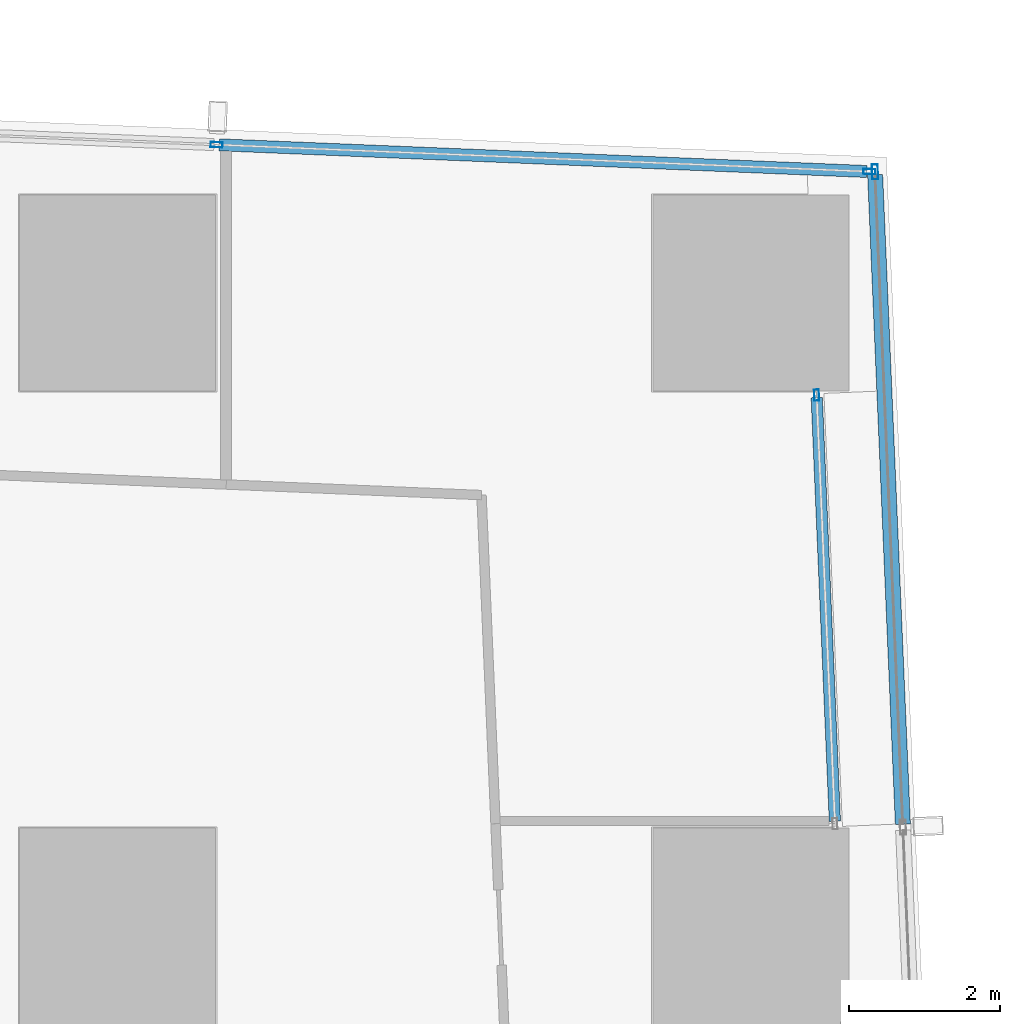
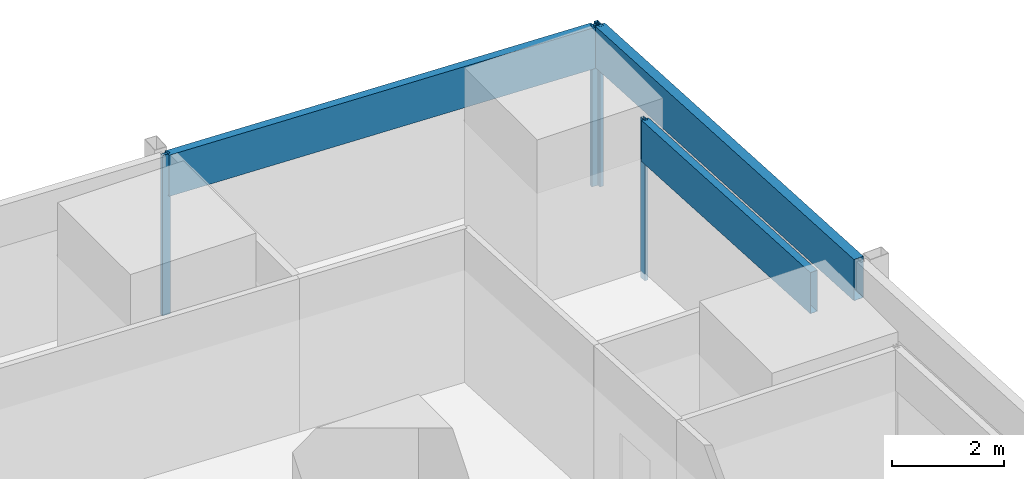
# One storey, part 23 of 46: 7 members, 3 elements without a shape of their own.
"""IFC4 building model written with IfcOpenShell, lengths in metres."""

from ifc_helpers import new_model, si_unit, direction, frame, origin, origin_2d, place, context, subcontext, project, spatial, hollow_rectangle, extrude, material, material_profile, profile_set, type_object, element, aggregate, save


model = new_model("IFC4")

# Units and contexts
model_context = context("Model", 3, precision=1e-05, world=origin(), true_north=direction((0.0, 1.0)))
body_context = subcontext(model_context, "Body", "Model", "MODEL_VIEW")
ifc_project = project(units=[si_unit("LENGTHUNIT", "METRE"), si_unit("AREAUNIT", "SQUARE_METRE"), si_unit("VOLUMEUNIT", "CUBIC_METRE"), si_unit("PLANEANGLEUNIT", "RADIAN"), si_unit("MASSUNIT", "GRAM", prefix="KILO")], contexts=[model_context])

# Site, building, storey
site_placement = place(None, origin())
site = spatial("IfcSite", under=ifc_project, at=site_placement, CompositionType="ELEMENT")
building_placement = place(site_placement, origin())
building = spatial("IfcBuilding", under=site, at=building_placement, Name="Rekha Terrace Tower", CompositionType="ELEMENT")
storey_placement = place(building_placement, frame((0.0, 0.0, 29.14990234375)))
storey = spatial("IfcBuildingStorey", under=building, at=storey_placement, Name="L06", CompositionType="ELEMENT", Elevation=29.14990234375)

# Curtain wall, members
ifc_material_1 = material(Name="Aluminium framing", Category="aluminium")
curtain_wall_type_1 = type_object("IfcCurtainWallType", Name="CW1 double skin inner glazing", PredefinedType="USERDEFINED", material=ifc_material_1)
curtain_wall_1_placement = place(storey_placement, origin())
curtain_wall_1 = element("IfcCurtainWall", 1, at=curtain_wall_1_placement, inside=storey, type_object=curtain_wall_type_1, Name="CW1 double skin inner glazing", ObjectType="DOUBLE SKIN INNER GLAZING", PredefinedType="USERDEFINED")
ifc_material_2 = material(Name="Aluminium mullion section", Category="aluminium")
ifc_material_profile_1 = material_profile(ifc_material_2, hollow_rectangle(XDim=0.06494140625, YDim=0.14990234375, WallThickness=0.00390625, at=origin_2d()), Name="AL RHS 65x150")
ifc_profile_set_1 = profile_set([ifc_material_profile_1], Name="Aluminium mullion section")
member_type_1 = type_object("IfcMemberType", Name="CW1 mullion RHS 65 x 150", PredefinedType="MULLION", material=ifc_profile_set_1)
member_1_placement = place(storey_placement, frame((68.073974609375, 57.443603515625, 0.0), z_axis=(0.0, 0.0, 1.0), x_axis=(-0.999088106906, -0.042696072869, 0.0)))
member_1 = element("IfcMember", 2, at=member_1_placement, type_object=member_type_1, Name="CW1 mullion 2", PredefinedType="MULLION", context=body_context, shape_type="SweptSolid", body=[
    extrude(hollow_rectangle(XDim=0.06494140625, YDim=0.14990234375, WallThickness=0.00390625, at=origin_2d()), origin(), (0.0, 0.0, 1.0), 3.5),
])
ifc_material_3 = material(Name="Insulated aluminium spandrel box", Category="aluminium")
ifc_material_profile_2 = material_profile(ifc_material_3, hollow_rectangle(XDim=0.14990234375, YDim=0.89990234375, WallThickness=0.0029296875, at=origin_2d()), Name="AL SPANDREL BOX 150x900")
ifc_profile_set_2 = profile_set([ifc_material_profile_2], Name="Insulated aluminium spandrel box")
member_type_2 = type_object("IfcMemberType", Name="CW1 spandrel transom 150 x 900", PredefinedType="USERDEFINED", material=ifc_profile_set_2)
member_2_placement = place(storey_placement, frame((68.315673828125, 51.7890625, 3.050048828125), z_axis=(-0.04273493784, 0.999086445253, 0.0), x_axis=(-0.999086445253, -0.04273493784, 0.0)))
member_2 = element("IfcMember", 3, at=member_2_placement, type_object=member_type_2, Name="CW1 spandrel transom 1", ObjectType="TRANSOM", PredefinedType="USERDEFINED", context=body_context, shape_type="SweptSolid", body=[
    extrude(hollow_rectangle(XDim=0.14990234375, YDim=0.89990234375, WallThickness=0.0029296875, at=origin_2d()), origin(), (0.0, 0.0, 1.0), 5.627197265625),
])
aggregate(curtain_wall_1, [member_1, member_2])

curtain_wall_type_2 = type_object("IfcCurtainWallType", Name="CW2 double skin outer glazing", PredefinedType="USERDEFINED", material=ifc_material_1)
curtain_wall_2_placement = place(storey_placement, origin())
curtain_wall_2 = element("IfcCurtainWall", 4, at=curtain_wall_2_placement, inside=storey, type_object=curtain_wall_type_2, Name="CW2 double skin outer glazing", ObjectType="DOUBLE SKIN OUTER GLAZING", PredefinedType="USERDEFINED")
ifc_material_profile_3 = material_profile(ifc_material_2, hollow_rectangle(XDim=0.080078125, YDim=0.199951171875, WallThickness=0.00390625, at=origin_2d()), Name="AL RHS 80x200")
ifc_profile_set_3 = profile_set([ifc_material_profile_3], Name="Aluminium mullion section")
member_type_3 = type_object("IfcMemberType", Name="CW2 mullion RHS 80 x 200", PredefinedType="MULLION", material=ifc_profile_set_3)
member_3_placement = place(storey_placement, frame((68.84814453125, 60.40625, 0.0), z_axis=(0.0, 0.0, 1.0), x_axis=(-0.999088106903, -0.042696072956, 0.0)))
member_3 = element("IfcMember", 5, at=member_3_placement, type_object=member_type_3, Name="CW2 mullion 5", PredefinedType="MULLION", context=body_context, shape_type="SweptSolid", body=[
    extrude(hollow_rectangle(XDim=0.080078125, YDim=0.199951171875, WallThickness=0.00390625, at=origin_2d()), origin(), (0.0, 0.0, 1.0), 3.5),
])
ifc_material_profile_4 = material_profile(ifc_material_3, hollow_rectangle(XDim=0.199951171875, YDim=0.89990234375, WallThickness=0.0029296875, at=origin_2d()), Name="AL SPANDREL BOX 200x900")
ifc_profile_set_4 = profile_set([ifc_material_profile_4], Name="Insulated aluminium spandrel box")
member_type_4 = type_object("IfcMemberType", Name="CW2 spandrel transom 200 x 900", PredefinedType="USERDEFINED", material=ifc_profile_set_4)
member_4_placement = place(storey_placement, frame((69.218017578125, 51.750244140625, 3.050048828125), z_axis=(-0.042691483974, 0.999088303002, 0.0), x_axis=(-0.999088303002, -0.042691483974, 0.0)))
member_4 = element("IfcMember", 6, at=member_4_placement, type_object=member_type_4, Name="CW2 spandrel transom 4", ObjectType="TRANSOM", PredefinedType="USERDEFINED", context=body_context, shape_type="SweptSolid", body=[
    extrude(hollow_rectangle(XDim=0.199951171875, YDim=0.89990234375, WallThickness=0.0029296875, at=origin_2d()), origin(), (0.0, 0.0, 1.0), 8.623779296875),
])
aggregate(curtain_wall_2, [member_3, member_4])

curtain_wall_type_3 = type_object("IfcCurtainWallType", Name="CW3 north unitised glazing", PredefinedType="USERDEFINED", material=ifc_material_1)
curtain_wall_3_placement = place(storey_placement, origin())
curtain_wall_3 = element("IfcCurtainWall", 7, at=curtain_wall_3_placement, inside=storey, type_object=curtain_wall_type_3, Name="CW3 unitised curtain wall", ObjectType="UNITISED CURTAIN WALL", PredefinedType="USERDEFINED")
ifc_material_profile_5 = material_profile(ifc_material_2, hollow_rectangle(XDim=0.070068359375, YDim=0.159912109375, WallThickness=0.00390625, at=origin_2d()), Name="AL RHS 70x160")
ifc_profile_set_5 = profile_set([ifc_material_profile_5], Name="Aluminium mullion section")
member_type_5 = type_object("IfcMemberType", Name="CW3 mullion RHS 70 x 160", PredefinedType="MULLION", material=ifc_profile_set_5)
member_5_placement = place(storey_placement, frame((68.77294921875, 60.4091796875, 0.0), z_axis=(0.0, 0.0, 1.0), x_axis=(-0.041173846041, -0.999151997647, 0.0)))
member_5 = element("IfcMember", 8, at=member_5_placement, type_object=member_type_5, Name="CW3 mullion 1", PredefinedType="MULLION", context=body_context, shape_type="SweptSolid", body=[
    extrude(hollow_rectangle(XDim=0.070068359375, YDim=0.159912109375, WallThickness=0.00390625, at=origin_2d()), origin(), (0.0, 0.0, 1.0), 3.5),
])
member_6_placement = place(storey_placement, frame((60.111572265625, 60.76611328125, 0.0), z_axis=(0.0, 0.0, 1.0), x_axis=(-0.041173846041, -0.999151997647, 0.0)))
member_6 = element("IfcMember", 9, at=member_6_placement, type_object=member_type_5, Name="CW3 mullion 2", PredefinedType="MULLION", context=body_context, shape_type="SweptSolid", body=[
    extrude(hollow_rectangle(XDim=0.070068359375, YDim=0.159912109375, WallThickness=0.00390625, at=origin_2d()), origin(), (0.0, 0.0, 1.0), 3.5),
])
ifc_material_profile_6 = material_profile(ifc_material_3, hollow_rectangle(XDim=0.159912109375, YDim=0.89990234375, WallThickness=0.0029296875, at=origin_2d()), Name="AL SPANDREL BOX 160x900")
ifc_profile_set_6 = profile_set([ifc_material_profile_6], Name="Insulated aluminium spandrel box")
member_type_6 = type_object("IfcMemberType", Name="CW3 spandrel transom 160 x 900", PredefinedType="USERDEFINED", material=ifc_profile_set_6)
member_7_placement = place(storey_placement, frame((68.738037109375, 60.41064453125, 3.050048828125), z_axis=(-0.99915220621, 0.041168784604, 0.0), x_axis=(-0.041168784604, -0.99915220621, 0.0)))
member_7 = element("IfcMember", 10, at=member_7_placement, type_object=member_type_6, Name="CW3 spandrel transom 1", ObjectType="TRANSOM", PredefinedType="USERDEFINED", context=body_context, shape_type="SweptSolid", body=[
    extrude(hollow_rectangle(XDim=0.159912109375, YDim=0.89990234375, WallThickness=0.0029296875, at=origin_2d()), origin(), (0.0, 0.0, 1.0), 8.598876953125),
])
aggregate(curtain_wall_3, [member_5, member_6, member_7])

save(model, "model.ifc")
